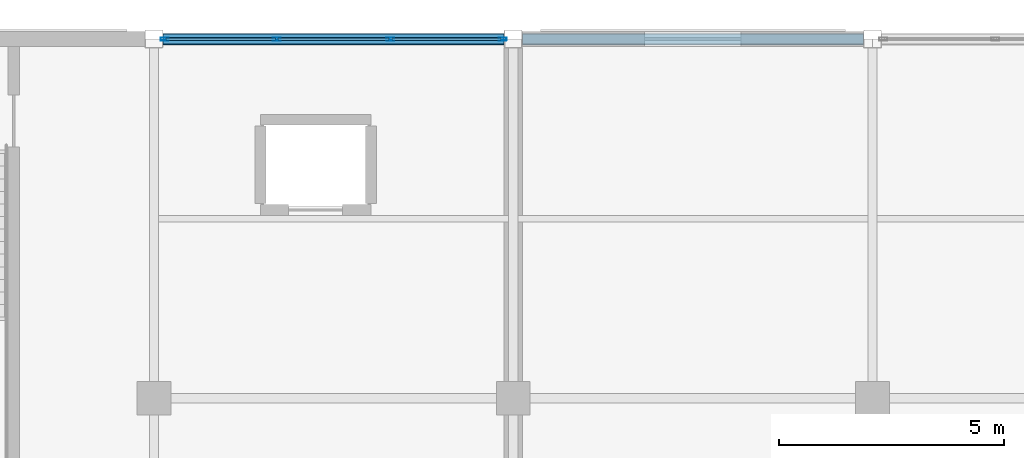
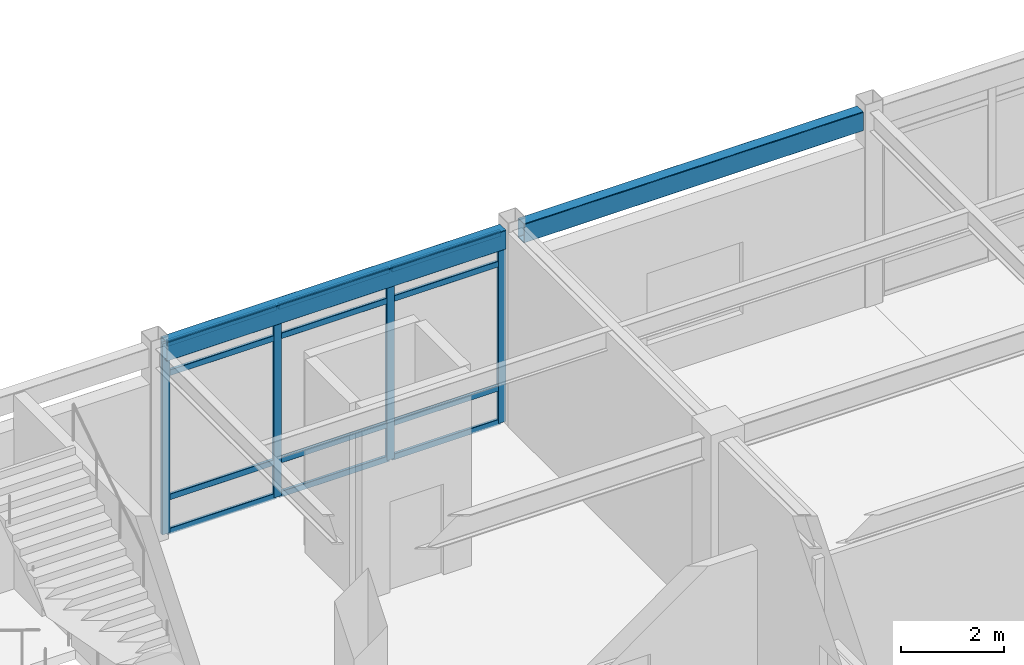
# One storey, part 77 of 117: 16 members, 2 beams, 1 element without a shape of its own.
"""IFC4 building model written with IfcOpenShell, lengths in metres."""

from ifc_helpers import new_model, si_unit, direction, frame, origin, origin_2d, place, context, subcontext, project, spatial, hollow_rectangle, extrude, material, material_profile, profile_set, type_object, element, aggregate, save


model = new_model("IFC4")

# Units and contexts
model_context = context("Model", 3, precision=1e-05, world=origin(), true_north=direction((0.0, 1.0)))
body_context = subcontext(model_context, "Body", "Model", "MODEL_VIEW")
ifc_project = project(units=[si_unit("LENGTHUNIT", "METRE"), si_unit("AREAUNIT", "SQUARE_METRE"), si_unit("VOLUMEUNIT", "CUBIC_METRE"), si_unit("PLANEANGLEUNIT", "RADIAN"), si_unit("MASSUNIT", "GRAM", prefix="KILO")], contexts=[model_context])

# Site, building, storey
site_placement = place(None, origin())
site = spatial("IfcSite", under=ifc_project, at=site_placement, CompositionType="ELEMENT")
building_placement = place(site_placement, origin())
building = spatial("IfcBuilding", under=site, at=building_placement, Name="Solmirada Galleria", CompositionType="ELEMENT")
storey_placement = place(building_placement, frame((0.0, 0.0, 5.60009765625)))
storey = spatial("IfcBuildingStorey", under=building, at=storey_placement, Name="L01", CompositionType="ELEMENT", Elevation=5.60009765625)

# Beams
ifc_material_1 = material(Name="Steel S355 / ASTM A500 Grade C", Category="steel")
ifc_material_profile_1 = material_profile(ifc_material_1, hollow_rectangle(XDim=0.25390625, YDim=0.45703125, WallThickness=0.01171875, InnerFilletRadius=0.01171875, OuterFilletRadius=0.023681640625, at=origin_2d()), Name="HSS18X10X1/2")
ifc_profile_set_1 = profile_set([ifc_material_profile_1], Name="Steel S355 / ASTM A500 Grade C")
beam_type = type_object("IfcBeamType", Name="BM-SPAND-W18", PredefinedType="SPANDREL", material=ifc_profile_set_1)
for number, where, z_axis, x_axis, name in (
    (1, (136.202880859375, 120.0, 4.371337890625), (1.0, 0.0, 0.0), (0.0, 1.0, 0.0), "Primary beam L02 X(136..144, 120)"),
    (2, (144.202880859375, 120.0, 4.371337890625), (1.0, 0.0, 0.0), (0.0, 1.0, 0.0), "Primary beam L02 X(144..152, 120)"),
):
    element("IfcBeam", number, at=place(storey_placement, frame(where, z_axis=z_axis, x_axis=x_axis)), inside=storey, type_object=beam_type, Name=name, PredefinedType="SPANDREL", context=body_context, shape_type="SweptSolid", body=[
        extrude(hollow_rectangle(XDim=0.25390625, YDim=0.45703125, WallThickness=0.01171875, InnerFilletRadius=0.01171875, OuterFilletRadius=0.023681640625, at=origin_2d()), origin(), (0.0, 0.0, 1.0), 7.59423828125),
    ])

# Curtain wall, members
ifc_material_2 = material(Name="Impact-resistant low-E double glazing", Category="glass")
curtain_wall_type = type_object("IfcCurtainWallType", Name="CW-FZ2-L01-B3-L076", PredefinedType="NOTDEFINED", material=ifc_material_2)
curtain_wall_placement = place(storey_placement, origin())
curtain_wall = element("IfcCurtainWall", 3, at=curtain_wall_placement, inside=storey, type_object=curtain_wall_type, Name="Terrace and arcade storefront CW-L01-057", PredefinedType="NOTDEFINED")
ifc_material_3 = material(Name="Anodised aluminium framing", Category="aluminium")
ifc_material_profile_2 = material_profile(ifc_material_3, hollow_rectangle(XDim=0.06494140625, YDim=0.179931640625, WallThickness=0.00390625, InnerFilletRadius=0.00390625, OuterFilletRadius=0.008056640625, at=origin_2d()), Name="ALU-MULL-180X65")
ifc_profile_set_2 = profile_set([ifc_material_profile_2], Name="Anodised aluminium framing")
member_type_1 = type_object("IfcMemberType", Name="CW-MULL-180", PredefinedType="MULLION", material=ifc_profile_set_2)
member_1_placement = place(storey_placement, frame((136.237548828125, 120.0, 0.0), z_axis=(0.0, 0.0, 1.0), x_axis=(0.0, 1.0, 0.0)))
member_1 = element("IfcMember", 4, at=member_1_placement, type_object=member_type_1, Name="CW15 mullion 1", PredefinedType="MULLION", context=body_context, shape_type="SweptSolid", body=[
    extrude(hollow_rectangle(XDim=0.06494140625, YDim=0.179931640625, WallThickness=0.00390625, InnerFilletRadius=0.00390625, OuterFilletRadius=0.008056640625, at=origin_2d()), origin(), (0.0, 0.0, 1.0), 4.52001953125),
])
member_2_placement = place(storey_placement, frame((138.735107421875, 120.0, 0.0), z_axis=(0.0, 0.0, 1.0), x_axis=(0.0, 1.0, 0.0)))
member_2 = element("IfcMember", 5, at=member_2_placement, type_object=member_type_1, Name="CW15 mullion 2", PredefinedType="MULLION", context=body_context, shape_type="SweptSolid", body=[
    extrude(hollow_rectangle(XDim=0.06494140625, YDim=0.179931640625, WallThickness=0.00390625, InnerFilletRadius=0.00390625, OuterFilletRadius=0.008056640625, at=origin_2d()), origin(), (0.0, 0.0, 1.0), 4.52001953125),
])
member_3_placement = place(storey_placement, frame((141.264892578125, 120.0, 0.0), z_axis=(0.0, 0.0, 1.0), x_axis=(0.0, 1.0, 0.0)))
member_3 = element("IfcMember", 6, at=member_3_placement, type_object=member_type_1, Name="CW15 mullion 3", PredefinedType="MULLION", context=body_context, shape_type="SweptSolid", body=[
    extrude(hollow_rectangle(XDim=0.06494140625, YDim=0.179931640625, WallThickness=0.00390625, InnerFilletRadius=0.00390625, OuterFilletRadius=0.008056640625, at=origin_2d()), origin(), (0.0, 0.0, 1.0), 4.52001953125),
])
member_4_placement = place(storey_placement, frame((143.762451171875, 120.0, 0.0), z_axis=(0.0, 0.0, 1.0), x_axis=(0.0, 1.0, 0.0)))
member_4 = element("IfcMember", 7, at=member_4_placement, type_object=member_type_1, Name="CW15 mullion 4", PredefinedType="MULLION", context=body_context, shape_type="SweptSolid", body=[
    extrude(hollow_rectangle(XDim=0.06494140625, YDim=0.179931640625, WallThickness=0.00390625, InnerFilletRadius=0.00390625, OuterFilletRadius=0.008056640625, at=origin_2d()), origin(), (0.0, 0.0, 1.0), 4.52001953125),
])
ifc_material_profile_3 = material_profile(ifc_material_3, hollow_rectangle(XDim=0.06494140625, YDim=0.139892578125, WallThickness=0.00341796875, InnerFilletRadius=0.00341796875, OuterFilletRadius=0.007080078125, at=origin_2d()), Name="ALU-TRAN-140X65")
ifc_profile_set_3 = profile_set([ifc_material_profile_3], Name="Anodised aluminium framing")
member_type_2 = type_object("IfcMemberType", Name="CW-TRAN-140", PredefinedType="USERDEFINED", material=ifc_profile_set_3)
member_5_placement = place(storey_placement, frame((136.27001953125, 120.0, 0.032470703125), z_axis=(1.0, 0.0, 0.0), x_axis=(0.0, 1.0, 0.0)))
member_5 = element("IfcMember", 8, at=member_5_placement, type_object=member_type_2, Name="CW15 transom 1.1", ObjectType="TRANSOM", PredefinedType="USERDEFINED", context=body_context, shape_type="SweptSolid", body=[
    extrude(hollow_rectangle(XDim=0.06494140625, YDim=0.139892578125, WallThickness=0.00341796875, InnerFilletRadius=0.00341796875, OuterFilletRadius=0.007080078125, at=origin_2d()), origin(), (0.0, 0.0, 1.0), 2.432373046875),
])
member_6_placement = place(storey_placement, frame((136.27001953125, 120.0, 0.83984375), z_axis=(1.0, 0.0, 0.0), x_axis=(0.0, 1.0, 0.0)))
member_6 = element("IfcMember", 9, at=member_6_placement, type_object=member_type_2, Name="CW15 transom 1.2", ObjectType="TRANSOM", PredefinedType="USERDEFINED", context=body_context, shape_type="SweptSolid", body=[
    extrude(hollow_rectangle(XDim=0.06494140625, YDim=0.139892578125, WallThickness=0.00341796875, InnerFilletRadius=0.00341796875, OuterFilletRadius=0.007080078125, at=origin_2d()), origin(), (0.0, 0.0, 1.0), 2.432373046875),
])
member_7_placement = place(storey_placement, frame((136.27001953125, 120.0, 3.77978515625), z_axis=(1.0, 0.0, 0.0), x_axis=(0.0, 1.0, 0.0)))
member_7 = element("IfcMember", 10, at=member_7_placement, type_object=member_type_2, Name="CW15 transom 1.3", ObjectType="TRANSOM", PredefinedType="USERDEFINED", context=body_context, shape_type="SweptSolid", body=[
    extrude(hollow_rectangle(XDim=0.06494140625, YDim=0.139892578125, WallThickness=0.00341796875, InnerFilletRadius=0.00341796875, OuterFilletRadius=0.007080078125, at=origin_2d()), origin(), (0.0, 0.0, 1.0), 2.432373046875),
])
member_8_placement = place(storey_placement, frame((136.27001953125, 120.0, 4.4873046875), z_axis=(1.0, 0.0, 0.0), x_axis=(0.0, 1.0, 0.0)))
member_8 = element("IfcMember", 11, at=member_8_placement, type_object=member_type_2, Name="CW15 transom 1.4", ObjectType="TRANSOM", PredefinedType="USERDEFINED", context=body_context, shape_type="SweptSolid", body=[
    extrude(hollow_rectangle(XDim=0.06494140625, YDim=0.139892578125, WallThickness=0.00341796875, InnerFilletRadius=0.00341796875, OuterFilletRadius=0.007080078125, at=origin_2d()), origin(), (0.0, 0.0, 1.0), 2.432373046875),
])
member_9_placement = place(storey_placement, frame((138.767578125, 120.0, 0.032470703125), z_axis=(1.0, 0.0, 0.0), x_axis=(0.0, 1.0, 0.0)))
member_9 = element("IfcMember", 12, at=member_9_placement, type_object=member_type_2, Name="CW15 transom 2.1", ObjectType="TRANSOM", PredefinedType="USERDEFINED", context=body_context, shape_type="SweptSolid", body=[
    extrude(hollow_rectangle(XDim=0.06494140625, YDim=0.139892578125, WallThickness=0.00341796875, InnerFilletRadius=0.00341796875, OuterFilletRadius=0.007080078125, at=origin_2d()), origin(), (0.0, 0.0, 1.0), 2.46484375),
])
member_10_placement = place(storey_placement, frame((138.767578125, 120.0, 0.83984375), z_axis=(1.0, 0.0, 0.0), x_axis=(0.0, 1.0, 0.0)))
member_10 = element("IfcMember", 13, at=member_10_placement, type_object=member_type_2, Name="CW15 transom 2.2", ObjectType="TRANSOM", PredefinedType="USERDEFINED", context=body_context, shape_type="SweptSolid", body=[
    extrude(hollow_rectangle(XDim=0.06494140625, YDim=0.139892578125, WallThickness=0.00341796875, InnerFilletRadius=0.00341796875, OuterFilletRadius=0.007080078125, at=origin_2d()), origin(), (0.0, 0.0, 1.0), 2.46484375),
])
member_11_placement = place(storey_placement, frame((138.767578125, 120.0, 3.77978515625), z_axis=(1.0, 0.0, 0.0), x_axis=(0.0, 1.0, 0.0)))
member_11 = element("IfcMember", 14, at=member_11_placement, type_object=member_type_2, Name="CW15 transom 2.3", ObjectType="TRANSOM", PredefinedType="USERDEFINED", context=body_context, shape_type="SweptSolid", body=[
    extrude(hollow_rectangle(XDim=0.06494140625, YDim=0.139892578125, WallThickness=0.00341796875, InnerFilletRadius=0.00341796875, OuterFilletRadius=0.007080078125, at=origin_2d()), origin(), (0.0, 0.0, 1.0), 2.46484375),
])
member_12_placement = place(storey_placement, frame((138.767578125, 120.0, 4.4873046875), z_axis=(1.0, 0.0, 0.0), x_axis=(0.0, 1.0, 0.0)))
member_12 = element("IfcMember", 15, at=member_12_placement, type_object=member_type_2, Name="CW15 transom 2.4", ObjectType="TRANSOM", PredefinedType="USERDEFINED", context=body_context, shape_type="SweptSolid", body=[
    extrude(hollow_rectangle(XDim=0.06494140625, YDim=0.139892578125, WallThickness=0.00341796875, InnerFilletRadius=0.00341796875, OuterFilletRadius=0.007080078125, at=origin_2d()), origin(), (0.0, 0.0, 1.0), 2.46484375),
])
member_13_placement = place(storey_placement, frame((141.297607421875, 120.0, 0.032470703125), z_axis=(1.0, 0.0, 0.0), x_axis=(0.0, 1.0, 0.0)))
member_13 = element("IfcMember", 16, at=member_13_placement, type_object=member_type_2, Name="CW15 transom 3.1", ObjectType="TRANSOM", PredefinedType="USERDEFINED", context=body_context, shape_type="SweptSolid", body=[
    extrude(hollow_rectangle(XDim=0.06494140625, YDim=0.139892578125, WallThickness=0.00341796875, InnerFilletRadius=0.00341796875, OuterFilletRadius=0.007080078125, at=origin_2d()), origin(), (0.0, 0.0, 1.0), 2.432373046875),
])
member_14_placement = place(storey_placement, frame((141.297607421875, 120.0, 0.83984375), z_axis=(1.0, 0.0, 0.0), x_axis=(0.0, 1.0, 0.0)))
member_14 = element("IfcMember", 17, at=member_14_placement, type_object=member_type_2, Name="CW15 transom 3.2", ObjectType="TRANSOM", PredefinedType="USERDEFINED", context=body_context, shape_type="SweptSolid", body=[
    extrude(hollow_rectangle(XDim=0.06494140625, YDim=0.139892578125, WallThickness=0.00341796875, InnerFilletRadius=0.00341796875, OuterFilletRadius=0.007080078125, at=origin_2d()), origin(), (0.0, 0.0, 1.0), 2.432373046875),
])
member_15_placement = place(storey_placement, frame((141.297607421875, 120.0, 3.77978515625), z_axis=(1.0, 0.0, 0.0), x_axis=(0.0, 1.0, 0.0)))
member_15 = element("IfcMember", 18, at=member_15_placement, type_object=member_type_2, Name="CW15 transom 3.3", ObjectType="TRANSOM", PredefinedType="USERDEFINED", context=body_context, shape_type="SweptSolid", body=[
    extrude(hollow_rectangle(XDim=0.06494140625, YDim=0.139892578125, WallThickness=0.00341796875, InnerFilletRadius=0.00341796875, OuterFilletRadius=0.007080078125, at=origin_2d()), origin(), (0.0, 0.0, 1.0), 2.432373046875),
])
member_16_placement = place(storey_placement, frame((141.297607421875, 120.0, 4.4873046875), z_axis=(1.0, 0.0, 0.0), x_axis=(0.0, 1.0, 0.0)))
member_16 = element("IfcMember", 19, at=member_16_placement, type_object=member_type_2, Name="CW15 transom 3.4", ObjectType="TRANSOM", PredefinedType="USERDEFINED", context=body_context, shape_type="SweptSolid", body=[
    extrude(hollow_rectangle(XDim=0.06494140625, YDim=0.139892578125, WallThickness=0.00341796875, InnerFilletRadius=0.00341796875, OuterFilletRadius=0.007080078125, at=origin_2d()), origin(), (0.0, 0.0, 1.0), 2.432373046875),
])
aggregate(curtain_wall, [member_1, member_2, member_3, member_4, member_5, member_6, member_7, member_8, member_9, member_10, member_11, member_12, member_13, member_14, member_15, member_16])

save(model, "model.ifc")
